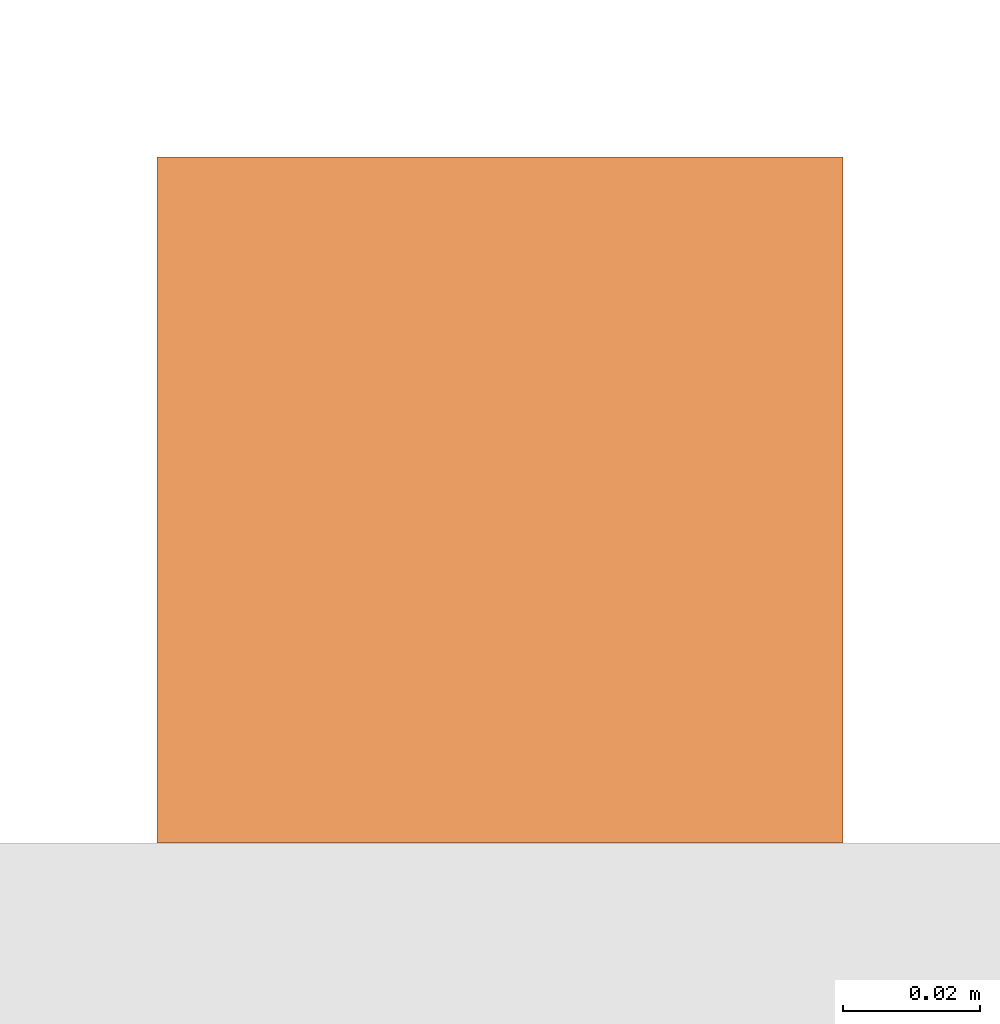
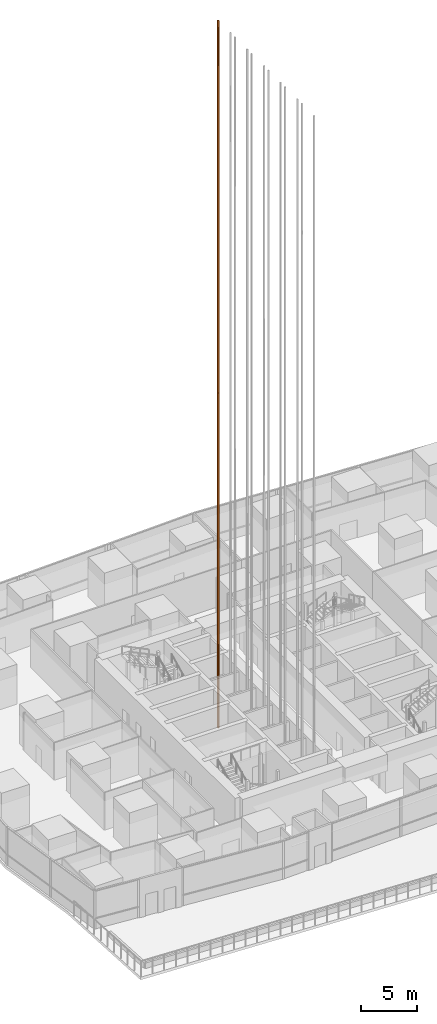
# One storey, part 44 of 44: 1 proxy.
"""IFC4 building model written with IfcOpenShell, lengths in metres."""

from ifc_helpers import new_model, si_unit, direction, frame, origin, origin_2d, place, context, subcontext, project, spatial, rectangle, extrude, material, type_object, element, save


model = new_model("IFC4")

# Units and contexts
model_context = context("Model", 3, precision=1e-05, world=origin(), true_north=direction((0.0, 1.0)))
body_context = subcontext(model_context, "Body", "Model", "MODEL_VIEW")
ifc_project = project(units=[si_unit("LENGTHUNIT", "METRE"), si_unit("AREAUNIT", "SQUARE_METRE"), si_unit("VOLUMEUNIT", "CUBIC_METRE"), si_unit("PLANEANGLEUNIT", "RADIAN"), si_unit("MASSUNIT", "GRAM", prefix="KILO")], contexts=[model_context])

# Site, building, storey
site_placement = place(None, origin())
site = spatial("IfcSite", under=ifc_project, at=site_placement, CompositionType="ELEMENT")
building_placement = place(site_placement, origin())
building = spatial("IfcBuilding", under=site, at=building_placement, Name="Rekha Terrace Tower", CompositionType="ELEMENT")
storey_placement = place(building_placement, frame((0.0, 0.0, 90.800048828125)))
storey = spatial("IfcBuildingStorey", under=building, at=storey_placement, Name="L22", CompositionType="ELEMENT", Elevation=90.800048828125)

# Proxy
ifc_material = material(Name="Steel guide rail", Category="steel")
building_element_proxy_type = type_object("IfcBuildingElementProxyType", Name="LR1 100 lift guide rail", PredefinedType="ELEMENT", material=ifc_material)
proxy_placement = place(storey_placement, frame((34.5, 41.0, -3.300048828125), z_axis=(0.0, 0.0, 1.0), x_axis=(1.0, 0.0, 0.0)))
element("IfcBuildingElementProxy", 1, at=proxy_placement, inside=storey, type_object=building_element_proxy_type, Name="Lift B6 guide rail 2", PredefinedType="ELEMENT", context=body_context, shape_type="SweptSolid", body=[
    extrude(rectangle(XDim=0.10009765625, YDim=0.10009765625, at=origin_2d()), origin(), (0.0, 0.0, 1.0), 77.39990234375),
])

save(model, "model.ifc")
